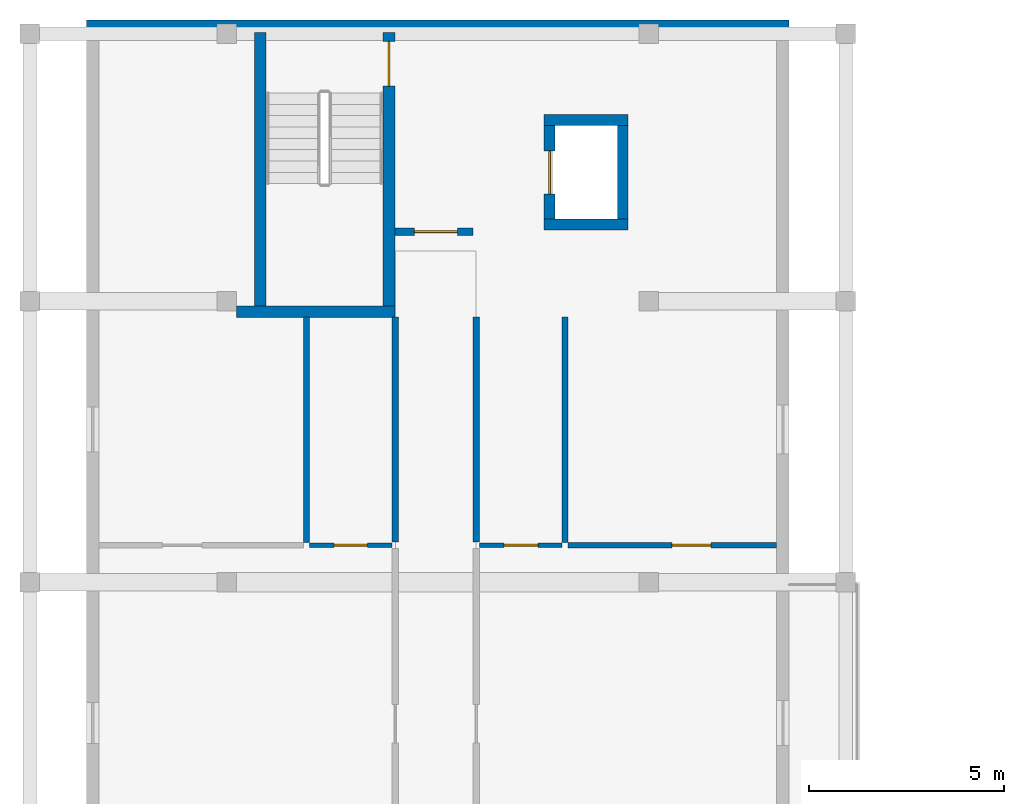
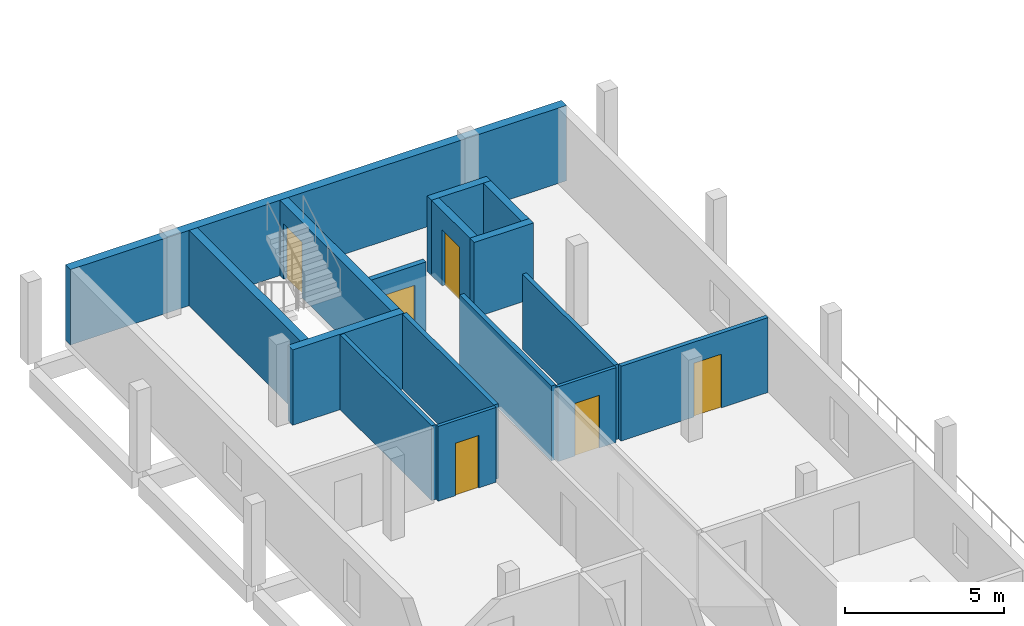
# One storey, part 7 of 16: 16 walls, 6 doors, 6 openings.
"""IFC4 building model written with IfcOpenShell, lengths in metres."""

from ifc_helpers import new_model, si_unit, derived_unit, direction, frame, frame_2d, origin, place, context, subcontext, project, spatial, rectangle, extrude, material, layer, layer_set, type_object, element, fill, save


model = new_model("IFC4")

# Units and contexts
model_context = context("Model", 3, precision=1e-05, world=origin(), true_north=direction((0.0, 1.0)))
body_context = subcontext(model_context, "Body", "Model", "MODEL_VIEW")
ifc_project = project(units=[si_unit("LENGTHUNIT", "METRE"), si_unit("AREAUNIT", "SQUARE_METRE"), si_unit("VOLUMEUNIT", "CUBIC_METRE"), si_unit("PLANEANGLEUNIT", "RADIAN"), si_unit("MASSUNIT", "GRAM", prefix="KILO"), derived_unit("THERMALTRANSMITTANCEUNIT", [(si_unit("MASSUNIT", "GRAM", prefix="KILO"), 1), (si_unit("TIMEUNIT", "SECOND"), -3), (si_unit("THERMODYNAMICTEMPERATUREUNIT", "KELVIN"), -1)])], contexts=[model_context])

# Site, building, storey
site_placement = place(None, origin())
site = spatial("IfcSite", under=ifc_project, at=site_placement, CompositionType="ELEMENT")
building_placement = place(site_placement, origin())
building = spatial("IfcBuilding", under=site, at=building_placement, Name="Ochrekiln Boulevard Commons", CompositionType="ELEMENT")
storey_placement = place(building_placement, frame((0.0, 0.0, 40.425048828125)))
storey = spatial("IfcBuildingStorey", under=building, at=storey_placement, Name="L12", CompositionType="ELEMENT", Elevation=40.425048828125)

# Walls
ifc_material_1 = material(Name="Desert ochre clinker brick masonry ASTM C216 Grade SW", Category="masonry")
ifc_layer_1 = layer(ifc_material_1, 0.320068359375)
ifc_layer_set_1 = layer_set([ifc_layer_1], Name="Desert ochre clinker brick masonry ASTM C216 Grade SW")
wall_type_1 = type_object("IfcWallType", Name="WL-EXT-OCHRE-320", PredefinedType="SOLIDWALL", material=ifc_layer_set_1)
wall_1_placement = place(storey_placement, frame((1.800048828125, 118.639892578125, 0.0), z_axis=(0.0, 0.0, 1.0), x_axis=(1.0, 0.0, 0.0)))
element("IfcWall", 1, at=wall_1_placement, inside=storey, type_object=wall_type_1, Name="Block A L12 N Exterior Wall", PredefinedType="SOLIDWALL", context=body_context, shape_type="SweptSolid", body=[
    extrude(rectangle(XDim=18.0, YDim=0.320068359375, at=frame_2d((9.0, 0.0))), origin(), (0.0, 0.0, 1.0), 2.889892578125),
])
ifc_material_2 = material(Name="Fire-rated Type X gypsum board on steel studs", Category="steel")
ifc_layer_2 = layer(ifc_material_2, 0.1650390625)
ifc_layer_set_2 = layer_set([ifc_layer_2], Name="Fire-rated Type X gypsum board on steel studs")
wall_type_2 = type_object("IfcWallType", Name="WL-PT-CORR-165", PredefinedType="PARTITIONING", material=ifc_layer_set_2)
for number, where, z_axis, x_axis, name in (
    (2, (9.7099609375, 105.429931640625, 0.0), (0.0, 0.0, 1.0), (0.0, 1.0, 0.0), "L12 Interior Wall W-PC165"),
    (3, (11.7900390625, 105.429931640625, 0.0), (0.0, 0.0, 1.0), (0.0, 1.0, 0.0), "L12 Interior Wall W-PC165"),
):
    element("IfcWall", number, at=place(storey_placement, frame(where, z_axis=z_axis, x_axis=x_axis)), inside=storey, type_object=wall_type_2, Name=name, PredefinedType="PARTITIONING", context=body_context, shape_type="SweptSolid", body=[
        extrude(rectangle(XDim=5.77001953125, YDim=0.1650390625, at=frame_2d((2.885009765625, 0.0))), origin(), (0.0, 0.0, 1.0), 2.869873046875),
    ])

# Wall, opening, door
ifc_layer_3 = layer(ifc_material_2, 0.18994140625)
ifc_layer_set_3 = layer_set([ifc_layer_3], Name="Fire-rated Type X gypsum board on steel studs")
wall_type_3 = type_object("IfcWallType", Name="WL-PT-LBY-190", PredefinedType="PARTITIONING", material=ifc_layer_set_3)
wall_2_placement = place(storey_placement, frame((9.699951171875, 113.3798828125, 0.0), z_axis=(0.0, 0.0, 1.0), x_axis=(1.0, 0.0, 0.0)))
wall_2 = element("IfcWall", 4, at=wall_2_placement, inside=storey, type_object=wall_type_3, Name="L12 Interior Wall W-PL190", PredefinedType="PARTITIONING", context=body_context, shape_type="SweptSolid", body=[
    extrude(rectangle(XDim=2.0, YDim=0.18994140625, at=frame_2d((1.0, 0.0))), origin(), (0.0, 0.0, 1.0), 2.869873046875),
])
opening_1_placement = place(wall_2_placement, frame((0.5, 0.0, 0.0)))
opening_1 = element("IfcOpeningElement", 5, at=opening_1_placement, cuts=wall_2, Name="Opening D-L12-1292", PredefinedType="OPENING", context=body_context, shape_type="SweptSolid", body=[
    extrude(rectangle(XDim=1.10009765625, YDim=2.1201171875, at=frame_2d((0.550048828125, 1.06005859375))), frame((0.0, 0.10498046875, 0.0), z_axis=(0.0, -1.0, 0.0), x_axis=(1.0, 0.0, 0.0)), (0.0, 0.0, 1.0), 0.2099609375),
])
ifc_material_3 = material(Name="Hollow metal fire-rated steel door assembly", Category="steel")
door_type_1 = type_object("IfcDoorType", Name="DR-LOBBY-60", OperationType="NOTDEFINED", PredefinedType="DOOR", material=ifc_material_3)
door_1_placement = place(opening_1_placement, origin())
door_1 = element("IfcDoor", 6, at=door_1_placement, inside=storey, type_object=door_type_1, Name="L12 Interior Door to Fire Service Access Elevator Lobby", OperationType="SINGLE_SWING_RIGHT", OverallHeight=2.1201171875, OverallWidth=1.10009765625, PredefinedType="DOOR", context=body_context, shape_type="SweptSolid", body=[
    extrude(rectangle(XDim=1.10009765625, YDim=2.1201171875, at=frame_2d((0.550048828125, 1.06005859375))), frame((0.0, 0.02490234375, 0.0), z_axis=(0.0, -1.0, 0.0), x_axis=(1.0, 0.0, 0.0)), (0.0, 0.0, 1.0), 0.050048828125),
])
fill(opening_1, door_1)

ifc_layer_4 = layer(ifc_material_2, 0.1201171875)
ifc_layer_set_4 = layer_set([ifc_layer_4], Name="Fire-rated Type X gypsum board on steel studs")
wall_type_4 = type_object("IfcWallType", Name="WL-PT-LGT-120", PredefinedType="PARTITIONING", material=ifc_layer_set_4)
wall_3_placement = place(storey_placement, frame((7.52001953125, 105.35009765625, 0.0), z_axis=(0.0, 0.0, 1.0), x_axis=(1.0, 0.0, 0.0)))
wall_3 = element("IfcWall", 7, at=wall_3_placement, inside=storey, type_object=wall_type_4, Name="L12 Interior Wall W-PL120", PredefinedType="PARTITIONING", context=body_context, shape_type="SweptSolid", body=[
    extrude(rectangle(XDim=2.10791015625, YDim=0.1201171875, at=frame_2d((1.053955078125, 0.0))), origin(), (0.0, 0.0, 1.0), 2.869873046875),
])
opening_2_placement = place(wall_3_placement, frame((0.625, 0.0, 0.0)))
opening_2 = element("IfcOpeningElement", 8, at=opening_2_placement, cuts=wall_3, Name="Opening D-L12-1303", PredefinedType="OPENING", context=body_context, shape_type="SweptSolid", body=[
    extrude(rectangle(XDim=0.85009765625, YDim=2.010009765625, at=frame_2d((0.425048828125, 1.0048828125))), frame((0.0, 0.070068359375, 0.0), z_axis=(0.0, -1.0, 0.0), x_axis=(1.0, 0.0, 0.0)), (0.0, 0.0, 1.0), 0.14013671875),
])
ifc_material_4 = material(Name="Solid core architectural oak door leaf")
door_type_2 = type_object("IfcDoorType", Name="DR-INT-KIT-085", OperationType="NOTDEFINED", PredefinedType="DOOR", material=ifc_material_4)
door_2_placement = place(opening_2_placement, origin())
door_2 = element("IfcDoor", 9, at=door_2_placement, inside=storey, type_object=door_type_2, Name="L12 Interior Door to Apartment Kitchen", OperationType="SINGLE_SWING_LEFT", OverallHeight=2.010009765625, OverallWidth=0.85009765625, PredefinedType="DOOR", context=body_context, shape_type="SweptSolid", body=[
    extrude(rectangle(XDim=0.85009765625, YDim=2.010009765625, at=frame_2d((0.425048828125, 1.0048828125))), frame((0.0, 0.02490234375, 0.0), z_axis=(0.0, -1.0, 0.0), x_axis=(1.0, 0.0, 0.0)), (0.0, 0.0, 1.0), 0.050048828125),
])
fill(opening_2, door_2)

wall_4_placement = place(storey_placement, frame((11.8720703125, 105.35009765625, 0.0), z_axis=(0.0, 0.0, 1.0), x_axis=(1.0, 0.0, 0.0)))
wall_4 = element("IfcWall", 10, at=wall_4_placement, inside=storey, type_object=wall_type_4, Name="L12 Interior Wall W-PL120", PredefinedType="PARTITIONING", context=body_context, shape_type="SweptSolid", body=[
    extrude(rectangle(XDim=2.10791015625, YDim=0.1201171875, at=frame_2d((1.053955078125, 0.0))), origin(), (0.0, 0.0, 1.0), 2.869873046875),
])
opening_3_placement = place(wall_4_placement, frame((0.617919921875, 0.0, 0.0)))
opening_3 = element("IfcOpeningElement", 11, at=opening_3_placement, cuts=wall_4, Name="Opening D-L12-1311", PredefinedType="OPENING", context=body_context, shape_type="SweptSolid", body=[
    extrude(rectangle(XDim=0.8798828125, YDim=2.02001953125, at=frame_2d((0.43994140625, 1.010009765625))), frame((0.0, 0.070068359375, 0.0), z_axis=(0.0, -1.0, 0.0), x_axis=(1.0, 0.0, 0.0)), (0.0, 0.0, 1.0), 0.14013671875),
])
door_type_3 = type_object("IfcDoorType", Name="DR-INT-KIT-088", OperationType="NOTDEFINED", PredefinedType="DOOR", material=ifc_material_4)
door_3_placement = place(opening_3_placement, origin())
door_3 = element("IfcDoor", 12, at=door_3_placement, inside=storey, type_object=door_type_3, Name="L12 Interior Door to Apartment Kitchen", OperationType="SINGLE_SWING_LEFT", OverallHeight=2.02001953125, OverallWidth=0.8798828125, PredefinedType="DOOR", context=body_context, shape_type="SweptSolid", body=[
    extrude(rectangle(XDim=0.8798828125, YDim=2.02001953125, at=frame_2d((0.43994140625, 1.010009765625))), frame((0.0, 0.02490234375, 0.0), z_axis=(0.0, -1.0, 0.0), x_axis=(1.0, 0.0, 0.0)), (0.0, 0.0, 1.0), 0.050048828125),
])
fill(opening_3, door_3)

# Wall
ifc_layer_5 = layer(ifc_material_2, 0.14990234375)
ifc_layer_set_5 = layer_set([ifc_layer_5], Name="Fire-rated Type X gypsum board on steel studs")
wall_type_5 = type_object("IfcWallType", Name="WL-PT-STD-150", PredefinedType="PARTITIONING", material=ifc_layer_set_5)
wall_5_placement = place(storey_placement, frame((7.43994140625, 105.425048828125, 0.0), z_axis=(0.0, 0.0, 1.0), x_axis=(0.0, 1.0, 0.0)))
element("IfcWall", 13, at=wall_5_placement, inside=storey, type_object=wall_type_5, Name="L12 Interior Wall W-PS150", PredefinedType="PARTITIONING", context=body_context, shape_type="SweptSolid", body=[
    extrude(rectangle(XDim=5.77490234375, YDim=0.14990234375, at=frame_2d((2.887451171875, 0.0))), origin(), (0.0, 0.0, 1.0), 2.869873046875),
])

# Wall, opening, door
wall_6_placement = place(storey_placement, frame((14.139892578125, 105.35009765625, 0.0), z_axis=(0.0, 0.0, 1.0), x_axis=(1.0, 0.0, 0.0)))
wall_6 = element("IfcWall", 14, at=wall_6_placement, inside=storey, type_object=wall_type_5, Name="L12 Interior Wall W-PS150", PredefinedType="PARTITIONING", context=body_context, shape_type="SweptSolid", body=[
    extrude(rectangle(XDim=5.340087890625, YDim=0.14990234375, at=frame_2d((2.669921875, 0.0))), origin(), (0.0, 0.0, 1.0), 2.869873046875),
])
opening_4_placement = place(wall_6_placement, frame((2.655029296875, 0.0, 0.0)))
opening_4 = element("IfcOpeningElement", 15, at=opening_4_placement, cuts=wall_6, Name="Opening D-L12-1313", PredefinedType="OPENING", context=body_context, shape_type="SweptSolid", body=[
    extrude(rectangle(XDim=1.0, YDim=2.06005859375, at=frame_2d((0.5, 1.030029296875))), frame((0.0, 0.0849609375, 0.0), z_axis=(0.0, -1.0, 0.0), x_axis=(1.0, 0.0, 0.0)), (0.0, 0.0, 1.0), 0.169921875),
])
door_type_4 = type_object("IfcDoorType", Name="DR-INT-BED-100", OperationType="NOTDEFINED", PredefinedType="DOOR", material=ifc_material_4)
door_4_placement = place(opening_4_placement, origin())
door_4 = element("IfcDoor", 16, at=door_4_placement, inside=storey, type_object=door_type_4, Name="L12 Interior Door to Secondary Apartment Bedroom", OperationType="SINGLE_SWING_LEFT", OverallHeight=2.06005859375, OverallWidth=1.0, PredefinedType="DOOR", context=body_context, shape_type="SweptSolid", body=[
    extrude(rectangle(XDim=1.0, YDim=2.06005859375, at=frame_2d((0.5, 1.030029296875))), frame((0.0, 0.02490234375, 0.0), z_axis=(0.0, -1.0, 0.0), x_axis=(1.0, 0.0, 0.0)), (0.0, 0.0, 1.0), 0.050048828125),
])
fill(opening_4, door_4)

# Walls
wall_7_placement = place(storey_placement, frame((14.06005859375, 105.425048828125, 0.0), z_axis=(0.0, 0.0, 1.0), x_axis=(0.0, 1.0, 0.0)))
element("IfcWall", 17, at=wall_7_placement, inside=storey, type_object=wall_type_5, Name="L12 Interior Wall W-PS150", PredefinedType="PARTITIONING", context=body_context, shape_type="SweptSolid", body=[
    extrude(rectangle(XDim=5.77490234375, YDim=0.14990234375, at=frame_2d((2.887451171875, 0.0))), origin(), (0.0, 0.0, 1.0), 2.869873046875),
])
ifc_material_5 = material(Name="Concrete C40/50", Category="concrete")
ifc_layer_6 = layer(ifc_material_5, 0.27490234375)
ifc_layer_set_6 = layer_set([ifc_layer_6], Name="Concrete C40/50")
wall_type_6 = type_object("IfcWallType", Name="WL-SH-275", PredefinedType="SHEAR", material=ifc_layer_set_6)
for number, where, z_axis, x_axis, name in (
    (18, (13.52490234375, 113.5625, 0.0), (0.0, 0.0, 1.0), (1.0, 0.0, 0.0), "Elevator FF-A2 L12 Hoistway Shear Wall"),
    (19, (13.52490234375, 116.237548828125, 0.0), (0.0, 0.0, 1.0), (1.0, 0.0, 0.0), "Elevator FF-A2 L12 Hoistway Shear Wall"),
):
    element("IfcWall", number, at=place(storey_placement, frame(where, z_axis=z_axis, x_axis=x_axis)), inside=storey, type_object=wall_type_6, Name=name, PredefinedType="SHEAR", context=body_context, shape_type="SweptSolid", body=[
        extrude(rectangle(XDim=2.150146484375, YDim=0.27490234375, at=frame_2d((1.0751953125, 0.0))), origin(), (0.0, 0.0, 1.0), 2.889892578125),
    ])

# Wall, opening, door
wall_8_placement = place(storey_placement, frame((13.66259765625, 113.699951171875, 0.0), z_axis=(0.0, 0.0, 1.0), x_axis=(0.0, 1.0, 0.0)))
wall_8 = element("IfcWall", 20, at=wall_8_placement, inside=storey, type_object=wall_type_6, Name="Elevator FF-A2 L12 Hoistway Shear Wall", PredefinedType="SHEAR", context=body_context, shape_type="SweptSolid", body=[
    extrude(rectangle(XDim=2.400146484375, YDim=0.27490234375, at=frame_2d((1.2001953125, 0.0))), origin(), (0.0, 0.0, 1.0), 2.889892578125),
])
opening_5_placement = place(wall_8_placement, frame((0.64990234375, 0.0, 0.0)))
opening_5 = element("IfcOpeningElement", 21, at=opening_5_placement, cuts=wall_8, Name="Opening LD-FF-A2-L12", PredefinedType="OPENING", context=body_context, shape_type="SweptSolid", body=[
    extrude(rectangle(XDim=1.10009765625, YDim=2.14990234375, at=frame_2d((0.550048828125, 1.074951171875))), frame((0.0, 0.1474609375, 0.0), z_axis=(0.0, -1.0, 0.0), x_axis=(1.0, 0.0, 0.0)), (0.0, 0.0, 1.0), 0.294921875),
])
ifc_material_6 = material(Name="Brushed stainless steel 316 elevator cab and doors", Category="steel")
door_type_5 = type_object("IfcDoorType", Name="DR-LIFT-LD90", OperationType="SLIDING_TO_LEFT", PredefinedType="DOOR", material=ifc_material_6)
door_5_placement = place(opening_5_placement, origin())
door_5 = element("IfcDoor", 22, at=door_5_placement, inside=storey, type_object=door_type_5, Name="Elevator FF-A2 L12 Sliding Landing Door LD-FF-A2-L12", OperationType="SLIDING_TO_LEFT", OverallHeight=2.14990234375, OverallWidth=1.10009765625, PredefinedType="DOOR", context=body_context, shape_type="SweptSolid", body=[
    extrude(rectangle(XDim=1.10009765625, YDim=2.14990234375, at=frame_2d((0.550048828125, 1.074951171875))), frame((0.0, 0.02490234375, 0.0), z_axis=(0.0, -1.0, 0.0), x_axis=(1.0, 0.0, 0.0)), (0.0, 0.0, 1.0), 0.050048828125),
])
fill(opening_5, door_5)

# Walls
wall_9_placement = place(storey_placement, frame((15.53759765625, 113.699951171875, 0.0), z_axis=(0.0, 0.0, 1.0), x_axis=(0.0, 1.0, 0.0)))
element("IfcWall", 23, at=wall_9_placement, inside=storey, type_object=wall_type_6, Name="Elevator FF-A2 L12 Hoistway Shear Wall", PredefinedType="SHEAR", context=body_context, shape_type="SweptSolid", body=[
    extrude(rectangle(XDim=2.400146484375, YDim=0.27490234375, at=frame_2d((1.2001953125, 0.0))), origin(), (0.0, 0.0, 1.0), 2.889892578125),
])
ifc_layer_7 = layer(ifc_material_5, 0.300048828125)
ifc_layer_set_7 = layer_set([ifc_layer_7], Name="Concrete C40/50")
wall_type_7 = type_object("IfcWallType", Name="WL-SH-300", PredefinedType="SHEAR", material=ifc_layer_set_7)
wall_10_placement = place(storey_placement, frame((5.64990234375, 111.330078125, 0.0), z_axis=(0.0, 0.0, 1.0), x_axis=(1.0, 0.0, 0.0)))
element("IfcWall", 24, at=wall_10_placement, inside=storey, type_object=wall_type_7, Name="Stair ST-A2 L12 Core Shear Wall S", PredefinedType="SHEAR", context=body_context, shape_type="SweptSolid", body=[
    extrude(rectangle(XDim=4.050048828125, YDim=0.300048828125, at=frame_2d((2.02490234375, 0.0))), origin(), (0.0, 0.0, 1.0), 2.889892578125),
])
wall_11_placement = place(storey_placement, frame((6.25, 111.47998046875, 0.0), z_axis=(0.0, 0.0, 1.0), x_axis=(0.0, 1.0, 0.0)))
element("IfcWall", 25, at=wall_11_placement, inside=storey, type_object=wall_type_7, Name="Stair ST-A2 L12 Core Shear Wall W", PredefinedType="SHEAR", context=body_context, shape_type="SweptSolid", body=[
    extrude(rectangle(XDim=7.0, YDim=0.300048828125, at=frame_2d((3.5, 0.0))), origin(), (0.0, 0.0, 1.0), 2.889892578125),
])

# Wall, opening, door
wall_12_placement = place(storey_placement, frame((9.550048828125, 111.47998046875, 0.0), z_axis=(0.0, 0.0, 1.0), x_axis=(0.0, 1.0, 0.0)))
wall_12 = element("IfcWall", 26, at=wall_12_placement, inside=storey, type_object=wall_type_7, Name="Stair ST-A2 L12 Core Shear Wall E", PredefinedType="SHEAR", context=body_context, shape_type="SweptSolid", body=[
    extrude(rectangle(XDim=7.0, YDim=0.300048828125, at=frame_2d((3.5, 0.0))), origin(), (0.0, 0.0, 1.0), 2.889892578125),
])
opening_6_placement = place(wall_12_placement, frame((5.625, 0.0, 0.0)))
opening_6 = element("IfcOpeningElement", 27, at=opening_6_placement, cuts=wall_12, Name="Opening D-L12-ST-A2", PredefinedType="OPENING", context=body_context, shape_type="SweptSolid", body=[
    extrude(rectangle(XDim=1.14990234375, YDim=2.1201171875, at=frame_2d((0.574951171875, 1.06005859375))), frame((0.0, 0.159912109375, 0.0), z_axis=(0.0, -1.0, 0.0), x_axis=(1.0, 0.0, 0.0)), (0.0, 0.0, 1.0), 0.320068359375),
])
door_type_6 = type_object("IfcDoorType", Name="DR-STAIR-90", OperationType="NOTDEFINED", PredefinedType="DOOR", material=ifc_material_3)
door_6_placement = place(opening_6_placement, origin())
door_6 = element("IfcDoor", 28, at=door_6_placement, inside=storey, type_object=door_type_6, Name="Enclosed Exit Stair ST-A2 L12 Rated Door", OperationType="SINGLE_SWING_RIGHT", OverallHeight=2.1201171875, OverallWidth=1.14990234375, PredefinedType="DOOR", context=body_context, shape_type="SweptSolid", body=[
    extrude(rectangle(XDim=1.14990234375, YDim=2.1201171875, at=frame_2d((0.574951171875, 1.06005859375))), frame((0.0, 0.02490234375, 0.0), z_axis=(0.0, -1.0, 0.0), x_axis=(1.0, 0.0, 0.0)), (0.0, 0.0, 1.0), 0.050048828125),
])
fill(opening_6, door_6)

save(model, "model.ifc")
